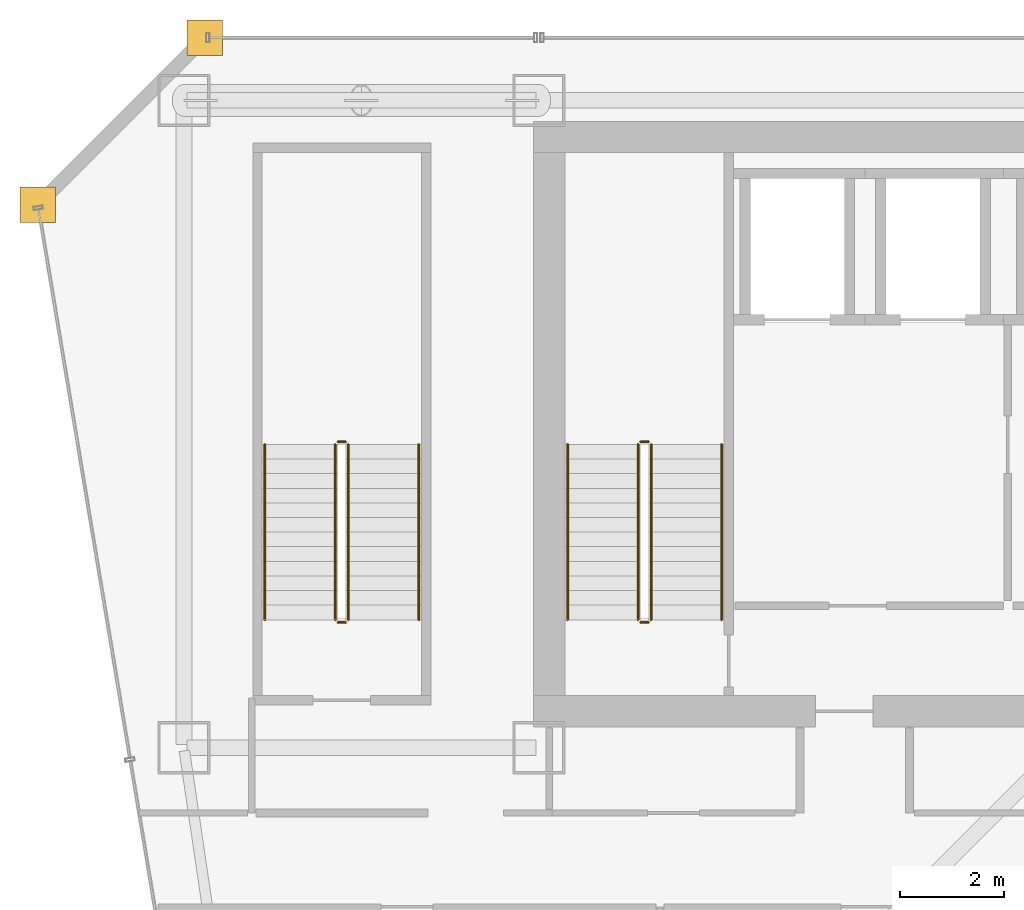
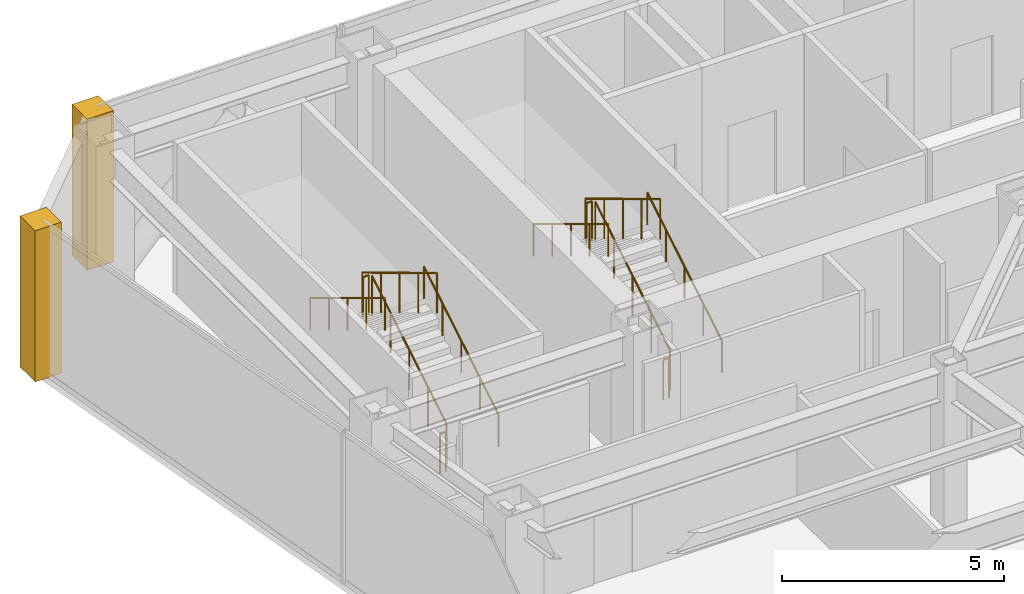
# One storey, part 36 of 37: 12 railings, 2 coverings.
"""IFC4 building model written with IfcOpenShell, lengths in metres."""

from ifc_helpers import new_model, si_unit, direction, frame, origin, origin_2d, place, context, subcontext, project, spatial, polyline, circle, outline, extrude, material, layer, layer_set, type_object, element, save


model = new_model("IFC4")

# Units and contexts
model_context = context("Model", 3, precision=1e-05, world=origin(), true_north=direction((0.0, 1.0)))
body_context = subcontext(model_context, "Body", "Model", "MODEL_VIEW")
ifc_project = project(units=[si_unit("LENGTHUNIT", "METRE"), si_unit("AREAUNIT", "SQUARE_METRE"), si_unit("VOLUMEUNIT", "CUBIC_METRE"), si_unit("PLANEANGLEUNIT", "RADIAN"), si_unit("MASSUNIT", "GRAM", prefix="KILO")], contexts=[model_context])

# Site, building, storey
site_placement = place(None, origin())
site = spatial("IfcSite", under=ifc_project, at=site_placement, CompositionType="ELEMENT")
building_placement = place(site_placement, origin())
building = spatial("IfcBuilding", under=site, at=building_placement, Name="Saevonmaru Cultural Tower", CompositionType="ELEMENT")
storey_placement = place(building_placement, frame((0.0, 0.0, 110.39990234375)))
storey = spatial("IfcBuildingStorey", under=building, at=storey_placement, Name="L23", CompositionType="ELEMENT", Elevation=110.39990234375)

# Coverings
ifc_material_1 = material(Name="Satin Bronze Anodised Aluminium", Category="aluminium")
ifc_layer = layer(ifc_material_1, 0.679931640625, Name="Satin Bronze Anodised Aluminium")
ifc_layer_set = layer_set([ifc_layer], Name="Satin Bronze Anodised Aluminium")
covering_type = type_object("IfcCoveringType", Name="CV-CORNER-CLAD", PredefinedType="CLADDING", material=ifc_layer_set)
covering_1_placement = place(storey_placement, origin())
element("IfcCovering", 1, at=covering_1_placement, inside=storey, type_object=covering_type, Name="L23 Tower Bronze Corner Cladding Pier 11", PredefinedType="CLADDING", context=body_context, shape_type="SweptSolid", body=[
    extrude(outline(polyline([(6.860107421875, 55.659912109375), (7.5400390625, 55.659912109375), (7.5400390625, 56.340087890625), (6.860107421875, 56.340087890625), (6.860107421875, 55.659912109375)])), origin(), (0.0, 0.0, 1.0), 4.150146484375),
])
covering_2_placement = place(storey_placement, origin())
element("IfcCovering", 2, at=covering_2_placement, inside=storey, type_object=covering_type, Name="L23 Tower Bronze Corner Cladding Pier 12", PredefinedType="CLADDING", context=body_context, shape_type="SweptSolid", body=[
    extrude(outline(polyline([(3.659912109375, 52.4599609375), (4.340087890625, 52.4599609375), (4.340087890625, 53.139892578125), (3.659912109375, 53.139892578125), (3.659912109375, 52.4599609375)])), origin(), (0.0, 0.0, 1.0), 4.150146484375),
])

# Railings
ifc_material_2 = material(Name="Architectural Painted Steel", Category="steel")
railing_type_1 = type_object("IfcRailingType", Name="RL-STAIR-GUARD", PredefinedType="GUARDRAIL", material=ifc_material_2)
railing_1_placement = place(storey_placement, frame((15.75, 44.85009765625, 0.16943359375)))
element("IfcRailing", 3, at=railing_1_placement, inside=storey, type_object=railing_type_1, Name="L23 ST-1 stair guard 1", PredefinedType="GUARDRAIL", context=body_context, shape_type="SweptSolid", body=[
    extrude(circle(Radius=0.02392578125, at=origin_2d()), frame((0.0, 0.0, 1.09619140625), z_axis=(0.0, 0.855820338506, 0.51727318527), x_axis=(-1.0, 0.0, 0.0)), (0.0, 0.0, 1.0), 3.92578125),
    extrude(circle(Radius=0.02099609375, at=origin_2d()), origin(), (0.0, 0.0, 1.0), 1.072021484375),
    extrude(circle(Radius=0.02099609375, at=origin_2d()), frame((0.0, 0.83984375, 0.5078125)), (0.0, 0.0, 1.0), 1.072021484375),
    extrude(circle(Radius=0.02099609375, at=origin_2d()), frame((0.0, 1.679931640625, 1.015380859375)), (0.0, 0.0, 1.0), 1.072021484375),
    extrude(circle(Radius=0.02099609375, at=origin_2d()), frame((0.0, 2.52001953125, 1.52294921875)), (0.0, 0.0, 1.0), 1.072021484375),
    extrude(circle(Radius=0.02099609375, at=origin_2d()), frame((0.0, 3.35986328125, 2.03076171875)), (0.0, 0.0, 1.0), 1.072021484375),
])
railing_2_placement = place(storey_placement, frame((15.699951171875, 48.260009765625, 2.2001953125)))
element("IfcRailing", 4, at=railing_2_placement, inside=storey, type_object=railing_type_1, Name="L23 ST-1 stair guard 2", PredefinedType="GUARDRAIL", context=body_context, shape_type="SweptSolid", body=[
    extrude(circle(Radius=0.02392578125, at=origin_2d()), frame((0.0, 0.0, 1.09619140625), z_axis=(-1.0, 0.0, 0.0), x_axis=(0.0, -1.0, 0.0)), (0.0, 0.0, 1.0), 0.14990234375),
    extrude(circle(Radius=0.02099609375, at=origin_2d()), origin(), (0.0, 0.0, 1.0), 1.072021484375),
    extrude(circle(Radius=0.02099609375, at=origin_2d()), frame((-0.14990234375, 0.0, 0.0)), (0.0, 0.0, 1.0), 1.072021484375),
])
railing_3_placement = place(storey_placement, frame((15.5, 48.2099609375, 2.369384765625)))
element("IfcRailing", 5, at=railing_3_placement, inside=storey, type_object=railing_type_1, Name="L23 ST-1 stair guard 3", PredefinedType="GUARDRAIL", context=body_context, shape_type="SweptSolid", body=[
    extrude(circle(Radius=0.02392578125, at=origin_2d()), frame((0.0, 0.0, 1.09619140625), z_axis=(0.0, -0.855820338506, 0.51727318527), x_axis=(1.0, 0.0, 0.0)), (0.0, 0.0, 1.0), 3.92578125),
    extrude(circle(Radius=0.02099609375, at=origin_2d()), origin(), (0.0, 0.0, 1.0), 1.072021484375),
    extrude(circle(Radius=0.02099609375, at=origin_2d()), frame((0.0, -0.83984375, 0.5078125)), (0.0, 0.0, 1.0), 1.072021484375),
    extrude(circle(Radius=0.02099609375, at=origin_2d()), frame((0.0, -1.679931640625, 1.015380859375)), (0.0, 0.0, 1.0), 1.072021484375),
    extrude(circle(Radius=0.02099609375, at=origin_2d()), frame((0.0, -2.52001953125, 1.52294921875)), (0.0, 0.0, 1.0), 1.072021484375),
    extrude(circle(Radius=0.02099609375, at=origin_2d()), frame((0.0, -3.35986328125, 2.03076171875)), (0.0, 0.0, 1.0), 1.072021484375),
])
railing_4_placement = place(storey_placement, frame((15.699951171875, 44.800048828125, 0.0)))
element("IfcRailing", 6, at=railing_4_placement, inside=storey, type_object=railing_type_1, Name="L23 ST-1 stair guard 4", PredefinedType="GUARDRAIL", context=body_context, shape_type="SweptSolid", body=[
    extrude(circle(Radius=0.02392578125, at=origin_2d()), frame((0.0, 0.0, 1.09619140625), z_axis=(-1.0, 0.0, 0.0), x_axis=(0.0, -1.0, 0.0)), (0.0, 0.0, 1.0), 0.14990234375),
    extrude(circle(Radius=0.02099609375, at=origin_2d()), origin(), (0.0, 0.0, 1.0), 1.072021484375),
    extrude(circle(Radius=0.02099609375, at=origin_2d()), frame((-0.14990234375, 0.0, 0.0)), (0.0, 0.0, 1.0), 1.072021484375),
])
railing_5_placement = place(storey_placement, frame((9.949951171875, 44.85009765625, 0.16943359375)))
element("IfcRailing", 7, at=railing_5_placement, inside=storey, type_object=railing_type_1, Name="L23 ST-3 stair guard 1", PredefinedType="GUARDRAIL", context=body_context, shape_type="SweptSolid", body=[
    extrude(circle(Radius=0.02392578125, at=origin_2d()), frame((0.0, 0.0, 1.09619140625), z_axis=(0.0, 0.855820338506, 0.51727318527), x_axis=(-1.0, 0.0, 0.0)), (0.0, 0.0, 1.0), 3.92578125),
    extrude(circle(Radius=0.02099609375, at=origin_2d()), origin(), (0.0, 0.0, 1.0), 1.072021484375),
    extrude(circle(Radius=0.02099609375, at=origin_2d()), frame((0.0, 0.83984375, 0.5078125)), (0.0, 0.0, 1.0), 1.072021484375),
    extrude(circle(Radius=0.02099609375, at=origin_2d()), frame((0.0, 1.679931640625, 1.015380859375)), (0.0, 0.0, 1.0), 1.072021484375),
    extrude(circle(Radius=0.02099609375, at=origin_2d()), frame((0.0, 2.52001953125, 1.52294921875)), (0.0, 0.0, 1.0), 1.072021484375),
    extrude(circle(Radius=0.02099609375, at=origin_2d()), frame((0.0, 3.35986328125, 2.03076171875)), (0.0, 0.0, 1.0), 1.072021484375),
])
railing_6_placement = place(storey_placement, frame((9.89990234375, 48.260009765625, 2.2001953125)))
element("IfcRailing", 8, at=railing_6_placement, inside=storey, type_object=railing_type_1, Name="L23 ST-3 stair guard 2", PredefinedType="GUARDRAIL", context=body_context, shape_type="SweptSolid", body=[
    extrude(circle(Radius=0.02392578125, at=origin_2d()), frame((0.0, 0.0, 1.09619140625), z_axis=(-1.0, 0.0, 0.0), x_axis=(0.0, -1.0, 0.0)), (0.0, 0.0, 1.0), 0.14990234375),
    extrude(circle(Radius=0.02099609375, at=origin_2d()), origin(), (0.0, 0.0, 1.0), 1.072021484375),
    extrude(circle(Radius=0.02099609375, at=origin_2d()), frame((-0.14990234375, 0.0, 0.0)), (0.0, 0.0, 1.0), 1.072021484375),
])
railing_7_placement = place(storey_placement, frame((9.699951171875, 48.2099609375, 2.369384765625)))
element("IfcRailing", 9, at=railing_7_placement, inside=storey, type_object=railing_type_1, Name="L23 ST-3 stair guard 3", PredefinedType="GUARDRAIL", context=body_context, shape_type="SweptSolid", body=[
    extrude(circle(Radius=0.02392578125, at=origin_2d()), frame((0.0, 0.0, 1.09619140625), z_axis=(0.0, -0.855820338506, 0.51727318527), x_axis=(1.0, 0.0, 0.0)), (0.0, 0.0, 1.0), 3.92578125),
    extrude(circle(Radius=0.02099609375, at=origin_2d()), origin(), (0.0, 0.0, 1.0), 1.072021484375),
    extrude(circle(Radius=0.02099609375, at=origin_2d()), frame((0.0, -0.83984375, 0.5078125)), (0.0, 0.0, 1.0), 1.072021484375),
    extrude(circle(Radius=0.02099609375, at=origin_2d()), frame((0.0, -1.679931640625, 1.015380859375)), (0.0, 0.0, 1.0), 1.072021484375),
    extrude(circle(Radius=0.02099609375, at=origin_2d()), frame((0.0, -2.52001953125, 1.52294921875)), (0.0, 0.0, 1.0), 1.072021484375),
    extrude(circle(Radius=0.02099609375, at=origin_2d()), frame((0.0, -3.35986328125, 2.03076171875)), (0.0, 0.0, 1.0), 1.072021484375),
])
railing_8_placement = place(storey_placement, frame((9.89990234375, 44.800048828125, 0.0)))
element("IfcRailing", 10, at=railing_8_placement, inside=storey, type_object=railing_type_1, Name="L23 ST-3 stair guard 4", PredefinedType="GUARDRAIL", context=body_context, shape_type="SweptSolid", body=[
    extrude(circle(Radius=0.02392578125, at=origin_2d()), frame((0.0, 0.0, 1.09619140625), z_axis=(-1.0, 0.0, 0.0), x_axis=(0.0, -1.0, 0.0)), (0.0, 0.0, 1.0), 0.14990234375),
    extrude(circle(Radius=0.02099609375, at=origin_2d()), origin(), (0.0, 0.0, 1.0), 1.072021484375),
    extrude(circle(Radius=0.02099609375, at=origin_2d()), frame((-0.14990234375, 0.0, 0.0)), (0.0, 0.0, 1.0), 1.072021484375),
])
railing_type_2 = type_object("IfcRailingType", Name="RL-STAIR-HANDRAIL", PredefinedType="HANDRAIL", material=ifc_material_1)
railing_9_placement = place(storey_placement, frame((17.10009765625, 44.85009765625, 0.16943359375)))
element("IfcRailing", 11, at=railing_9_placement, inside=storey, type_object=railing_type_2, Name="L23 ST-1 stair handrail 1", PredefinedType="HANDRAIL", context=body_context, shape_type="SweptSolid", body=[
    extrude(circle(Radius=0.02392578125, at=origin_2d()), frame((0.0, 0.0, 0.8759765625), z_axis=(0.0, 0.855820338506, 0.51727318527), x_axis=(-1.0, 0.0, 0.0)), (0.0, 0.0, 1.0), 3.92578125),
    extrude(circle(Radius=0.02099609375, at=origin_2d()), origin(), (0.0, 0.0, 1.0), 0.851806640625),
    extrude(circle(Radius=0.02099609375, at=origin_2d()), frame((0.0, 0.83984375, 0.5078125)), (0.0, 0.0, 1.0), 0.851806640625),
    extrude(circle(Radius=0.02099609375, at=origin_2d()), frame((0.0, 1.679931640625, 1.015380859375)), (0.0, 0.0, 1.0), 0.851806640625),
    extrude(circle(Radius=0.02099609375, at=origin_2d()), frame((0.0, 2.52001953125, 1.52294921875)), (0.0, 0.0, 1.0), 0.851806640625),
    extrude(circle(Radius=0.02099609375, at=origin_2d()), frame((0.0, 3.35986328125, 2.03076171875)), (0.0, 0.0, 1.0), 0.851806640625),
])
railing_10_placement = place(storey_placement, frame((14.14990234375, 48.2099609375, 2.369384765625)))
element("IfcRailing", 12, at=railing_10_placement, inside=storey, type_object=railing_type_2, Name="L23 ST-1 stair handrail 2", PredefinedType="HANDRAIL", context=body_context, shape_type="SweptSolid", body=[
    extrude(circle(Radius=0.02392578125, at=origin_2d()), frame((0.0, 0.0, 0.8759765625), z_axis=(0.0, -0.855820338506, 0.51727318527), x_axis=(1.0, 0.0, 0.0)), (0.0, 0.0, 1.0), 3.92578125),
    extrude(circle(Radius=0.02099609375, at=origin_2d()), origin(), (0.0, 0.0, 1.0), 0.851806640625),
    extrude(circle(Radius=0.02099609375, at=origin_2d()), frame((0.0, -0.83984375, 0.5078125)), (0.0, 0.0, 1.0), 0.851806640625),
    extrude(circle(Radius=0.02099609375, at=origin_2d()), frame((0.0, -1.679931640625, 1.015380859375)), (0.0, 0.0, 1.0), 0.851806640625),
    extrude(circle(Radius=0.02099609375, at=origin_2d()), frame((0.0, -2.52001953125, 1.52294921875)), (0.0, 0.0, 1.0), 0.851806640625),
    extrude(circle(Radius=0.02099609375, at=origin_2d()), frame((0.0, -3.35986328125, 2.03076171875)), (0.0, 0.0, 1.0), 0.851806640625),
])
railing_11_placement = place(storey_placement, frame((11.300048828125, 44.85009765625, 0.16943359375)))
element("IfcRailing", 13, at=railing_11_placement, inside=storey, type_object=railing_type_2, Name="L23 ST-3 stair handrail 1", PredefinedType="HANDRAIL", context=body_context, shape_type="SweptSolid", body=[
    extrude(circle(Radius=0.02392578125, at=origin_2d()), frame((0.0, 0.0, 0.8759765625), z_axis=(0.0, 0.855820338506, 0.51727318527), x_axis=(-1.0, 0.0, 0.0)), (0.0, 0.0, 1.0), 3.92578125),
    extrude(circle(Radius=0.02099609375, at=origin_2d()), origin(), (0.0, 0.0, 1.0), 0.851806640625),
    extrude(circle(Radius=0.02099609375, at=origin_2d()), frame((0.0, 0.83984375, 0.5078125)), (0.0, 0.0, 1.0), 0.851806640625),
    extrude(circle(Radius=0.02099609375, at=origin_2d()), frame((0.0, 1.679931640625, 1.015380859375)), (0.0, 0.0, 1.0), 0.851806640625),
    extrude(circle(Radius=0.02099609375, at=origin_2d()), frame((0.0, 2.52001953125, 1.52294921875)), (0.0, 0.0, 1.0), 0.851806640625),
    extrude(circle(Radius=0.02099609375, at=origin_2d()), frame((0.0, 3.35986328125, 2.03076171875)), (0.0, 0.0, 1.0), 0.851806640625),
])
railing_12_placement = place(storey_placement, frame((8.35009765625, 48.2099609375, 2.369384765625)))
element("IfcRailing", 14, at=railing_12_placement, inside=storey, type_object=railing_type_2, Name="L23 ST-3 stair handrail 2", PredefinedType="HANDRAIL", context=body_context, shape_type="SweptSolid", body=[
    extrude(circle(Radius=0.02392578125, at=origin_2d()), frame((0.0, 0.0, 0.8759765625), z_axis=(0.0, -0.855820338506, 0.51727318527), x_axis=(1.0, 0.0, 0.0)), (0.0, 0.0, 1.0), 3.92578125),
    extrude(circle(Radius=0.02099609375, at=origin_2d()), origin(), (0.0, 0.0, 1.0), 0.851806640625),
    extrude(circle(Radius=0.02099609375, at=origin_2d()), frame((0.0, -0.83984375, 0.5078125)), (0.0, 0.0, 1.0), 0.851806640625),
    extrude(circle(Radius=0.02099609375, at=origin_2d()), frame((0.0, -1.679931640625, 1.015380859375)), (0.0, 0.0, 1.0), 0.851806640625),
    extrude(circle(Radius=0.02099609375, at=origin_2d()), frame((0.0, -2.52001953125, 1.52294921875)), (0.0, 0.0, 1.0), 0.851806640625),
    extrude(circle(Radius=0.02099609375, at=origin_2d()), frame((0.0, -3.35986328125, 2.03076171875)), (0.0, 0.0, 1.0), 0.851806640625),
])

save(model, "model.ifc")
